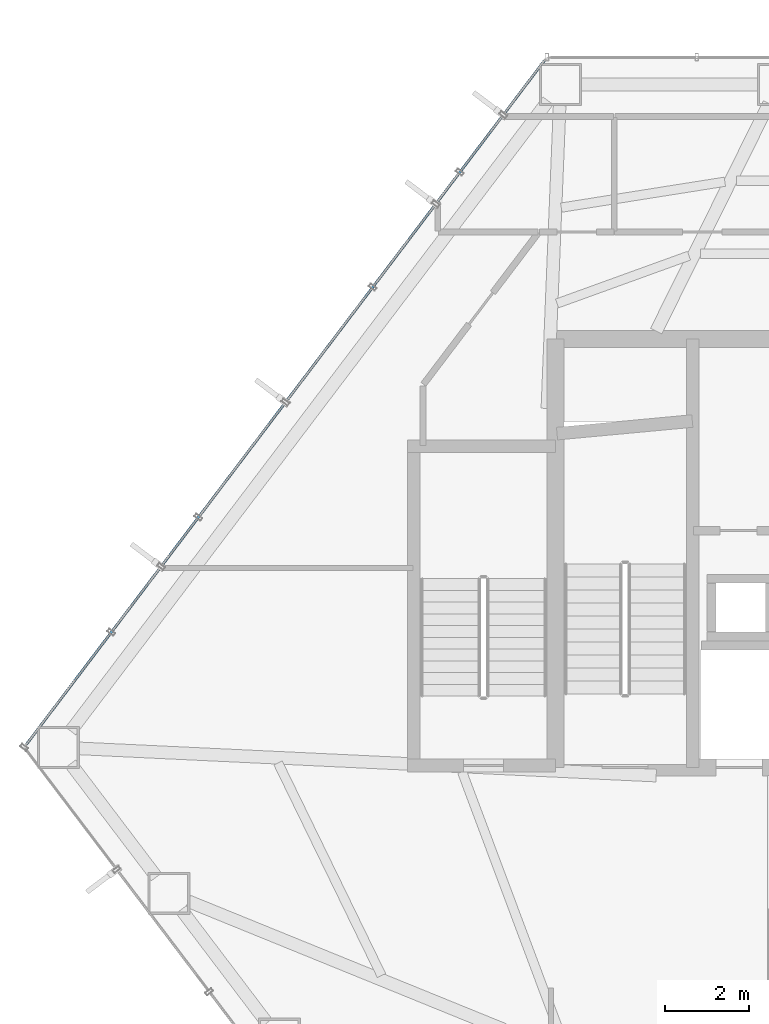
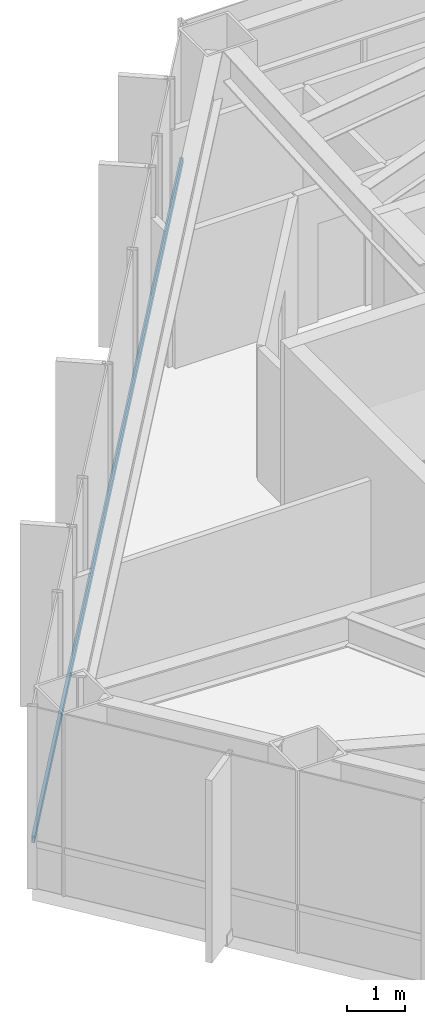
# One storey, part 12 of 26: 1 member, 1 element without a shape of its own.
"""IFC4 building model written with IfcOpenShell, lengths in metres."""

from ifc_helpers import new_model, si_unit, direction, frame, origin, origin_2d, place, context, subcontext, project, spatial, hollow_rectangle, extrude, material, layer, layer_set, material_profile, profile_set, type_object, element, aggregate, save


model = new_model("IFC4")

# Units and contexts
model_context = context("Model", 3, precision=1e-05, world=origin(), true_north=direction((0.0, 1.0)))
body_context = subcontext(model_context, "Body", "Model", "MODEL_VIEW")
ifc_project = project(units=[si_unit("LENGTHUNIT", "METRE"), si_unit("AREAUNIT", "SQUARE_METRE"), si_unit("VOLUMEUNIT", "CUBIC_METRE"), si_unit("PLANEANGLEUNIT", "RADIAN"), si_unit("MASSUNIT", "GRAM", prefix="KILO")], contexts=[model_context])

# Site, building, storey
site_placement = place(None, origin())
site = spatial("IfcSite", under=ifc_project, at=site_placement, CompositionType="ELEMENT")
building_placement = place(site_placement, origin())
building = spatial("IfcBuilding", under=site, at=building_placement, Name="Zarrinselat Tower", CompositionType="ELEMENT")
storey_placement = place(building_placement, frame((0.0, 0.0, 27.5400390625)))
storey = spatial("IfcBuildingStorey", under=building, at=storey_placement, Name="L06", CompositionType="ELEMENT", Elevation=27.5400390625)

# Curtain wall, member
ifc_material_1 = material(Name="Extruded Aluminium Alloy EN AW-6063 T6", Category="aluminium")
ifc_layer = layer(ifc_material_1, 0.18505859375)
ifc_layer_set = layer_set([ifc_layer], Name="Extruded Aluminium Alloy EN AW-6063 T6")
curtain_wall_type = type_object("IfcCurtainWallType", Name="CWS-OFF", PredefinedType="NOTDEFINED", material=ifc_layer_set)
curtain_wall_placement = place(storey_placement, origin())
curtain_wall = element("IfcCurtainWall", 1, at=curtain_wall_placement, inside=storey, type_object=curtain_wall_type, Name="L06 Unitised Curtain Wall CW-L06-E02", PredefinedType="NOTDEFINED")
ifc_material_2 = material(Name="Extruded Aluminium Alloy EN AW-6063 T6", Category="aluminium")
ifc_material_profile = material_profile(ifc_material_2, hollow_rectangle(XDim=0.06005859375, YDim=0.139892578125, WallThickness=0.00390625, at=origin_2d()), Name="RHS 140x60x4")
ifc_profile_set = profile_set([ifc_material_profile], Name="Extruded Aluminium Alloy EN AW-6063 T6")
member_type = type_object("IfcMemberType", Name="MEM-CW-TRN", PredefinedType="USERDEFINED", material=ifc_profile_set)
member_placement = place(storey_placement, frame((28.34521484375, 50.08935546875, 0.949951171875), z_axis=(-0.60386251914, -0.797088488173, 0.0), x_axis=(0.797088488173, -0.60386251914, 0.0)))
member = element("IfcMember", 2, at=member_placement, type_object=member_type, Name="CW-L06-E02 Transom 1", ObjectType="TRANSOM", PredefinedType="USERDEFINED", context=body_context, shape_type="SweptSolid", body=[
    extrude(hollow_rectangle(XDim=0.06005859375, YDim=0.139892578125, WallThickness=0.00390625, at=origin_2d()), origin(), (0.0, 0.0, 1.0), 20.43212890625),
])
aggregate(curtain_wall, [member])

save(model, "model.ifc")
